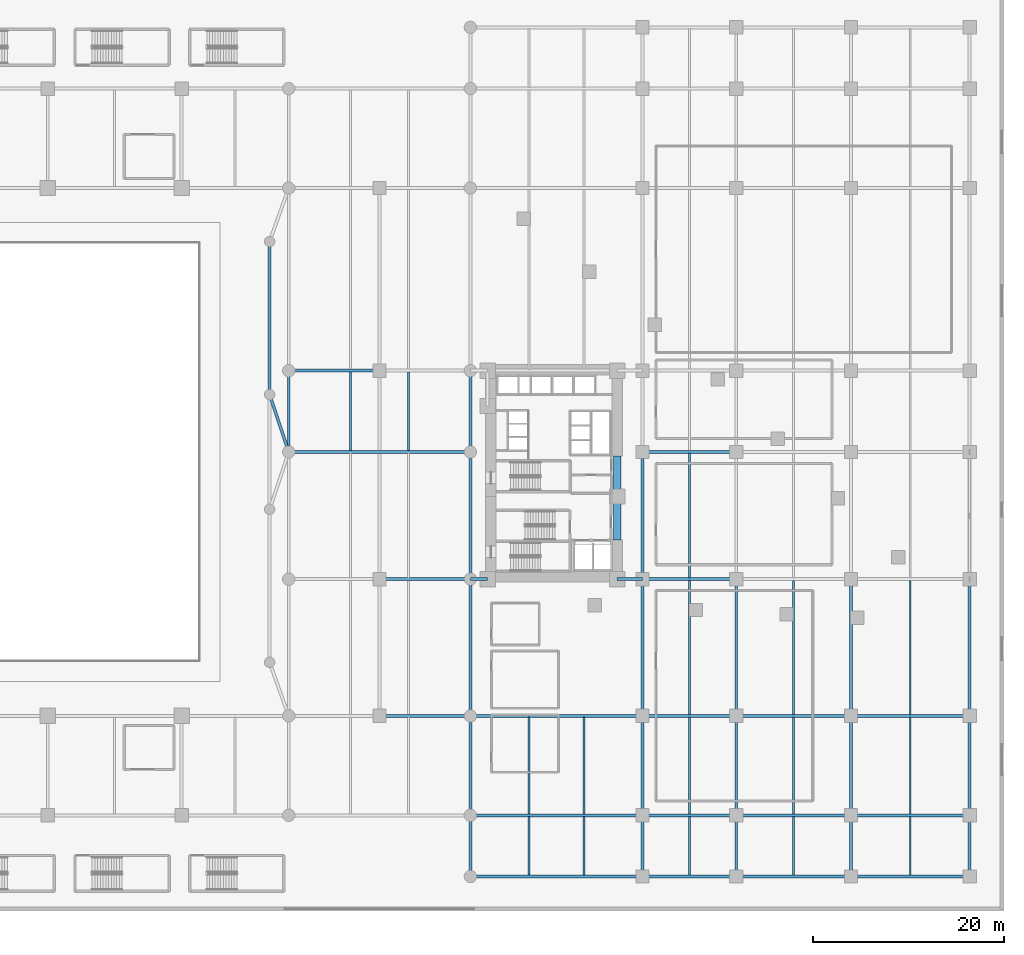
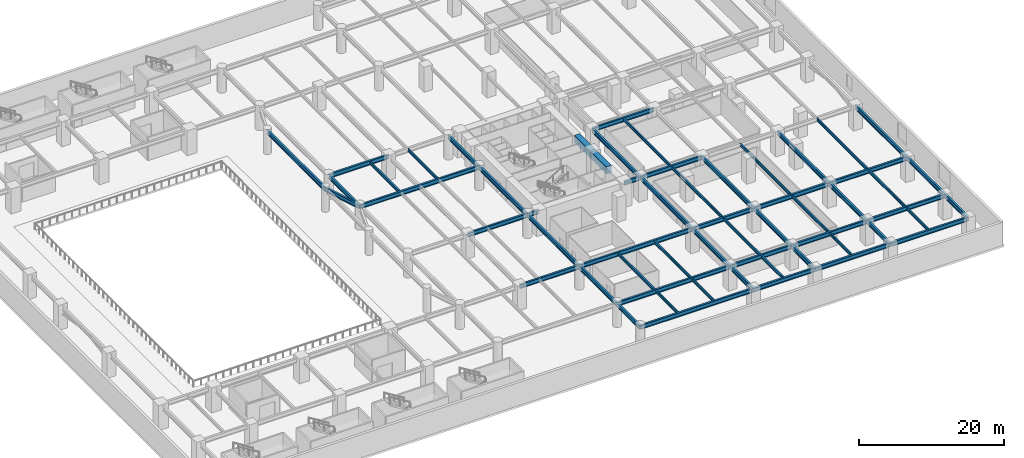
# One storey, part 2 of 22: 59 beams.
"""IFC4 building model written with IfcOpenShell, lengths in metres."""

from ifc_helpers import new_model, si_unit, direction, frame, origin, origin_2d, place, context, subcontext, project, spatial, rectangle, i_section, extrude, material, material_profile, profile_set, type_object, element, save


model = new_model("IFC4")

# Units and contexts
model_context = context("Model", 3, precision=1e-05, world=origin(), true_north=direction((0.0, 1.0)))
body_context = subcontext(model_context, "Body", "Model", "MODEL_VIEW")
ifc_project = project(units=[si_unit("LENGTHUNIT", "METRE"), si_unit("AREAUNIT", "SQUARE_METRE"), si_unit("VOLUMEUNIT", "CUBIC_METRE"), si_unit("PLANEANGLEUNIT", "RADIAN"), si_unit("MASSUNIT", "GRAM", prefix="KILO")], contexts=[model_context])

# Site, building, storey
site_placement = place(None, origin())
site = spatial("IfcSite", under=ifc_project, at=site_placement, CompositionType="ELEMENT")
building_placement = place(site_placement, origin())
building = spatial("IfcBuilding", under=site, at=building_placement, Name="Narakoshi Arena Tower", CompositionType="ELEMENT")
storey_placement = place(building_placement, frame((0.0, 0.0, 13.199951171875)))
storey = spatial("IfcBuildingStorey", under=building, at=storey_placement, Name="L03", CompositionType="ELEMENT", Elevation=13.199951171875)

# Beams
ifc_material_1 = material(Name="Concrete C60/75", Category="concrete")
ifc_material_profile_1 = material_profile(ifc_material_1, rectangle(XDim=0.800048828125, YDim=1.199951171875, at=origin_2d()), Name="RCB800x1200")
ifc_profile_set_1 = profile_set([ifc_material_profile_1], Name="Concrete C60/75")
beam_type_1 = type_object("IfcBeamType", Name="BM-CPL-1200", PredefinedType="LINTEL", material=ifc_profile_set_1)
beam_1_placement = place(storey_placement, frame((85.550048828125, 38.800048828125, 3.280029296875), z_axis=(0.0, 1.0, 0.0), x_axis=(-1.0, 0.0, 0.0)))
element("IfcBeam", 1, at=beam_1_placement, inside=storey, type_object=beam_type_1, Name="L03 Core Seismic Coupling Beam 1", PredefinedType="LINTEL", context=body_context, shape_type="SweptSolid", body=[
    extrude(rectangle(XDim=0.800048828125, YDim=1.199951171875, at=origin_2d()), origin(), (0.0, 0.0, 1.0), 4.550048828125),
])
beam_2_placement = place(storey_placement, frame((85.550048828125, 43.35009765625, 3.280029296875), z_axis=(0.0, 1.0, 0.0), x_axis=(-1.0, 0.0, 0.0)))
element("IfcBeam", 2, at=beam_2_placement, inside=storey, type_object=beam_type_1, Name="L03 Core Seismic Coupling Beam 2", PredefinedType="LINTEL", context=body_context, shape_type="SweptSolid", body=[
    extrude(rectangle(XDim=0.800048828125, YDim=1.199951171875, at=origin_2d()), origin(), (0.0, 0.0, 1.0), 4.25),
])
ifc_material_2 = material(Name="Structural steel S355J2", Category="steel")
ifc_material_profile_2 = material_profile(ifc_material_2, i_section(OverallWidth=0.300048828125, OverallDepth=0.699951171875, WebThickness=0.01708984375, FlangeThickness=0.031982421875, FilletRadius=0.027099609375, at=origin_2d()), Name="HE700B")
ifc_profile_set_2 = profile_set([ifc_material_profile_2], Name="Structural steel S355J2")
beam_type_2 = type_object("IfcBeamType", Name="BM-PRI-700", PredefinedType="BEAM", material=ifc_profile_set_2)
beam_3_placement = place(storey_placement, frame((49.199951171875, 54.0, 3.530029296875), z_axis=(0.316227766017, -0.948683298051, 0.0), x_axis=(0.948683298051, 0.316227766017, 0.0)))
element("IfcBeam", 3, at=beam_3_placement, inside=storey, type_object=beam_type_2, Name="L03 Arena Foyer Tie Beam 03", PredefinedType="BEAM", context=body_context, shape_type="SweptSolid", body=[
    extrude(i_section(OverallWidth=0.300048828125, OverallDepth=0.699951171875, WebThickness=0.01708984375, FlangeThickness=0.031982421875, FilletRadius=0.027099609375, at=origin_2d()), origin(), (0.0, 0.0, 1.0), 6.324462890625),
])
beam_4_placement = place(storey_placement, frame((49.199951171875, 54.0, 3.530029296875), z_axis=(0.0, 1.0, 0.0), x_axis=(-1.0, 0.0, 0.0)))
element("IfcBeam", 4, at=beam_4_placement, inside=storey, type_object=beam_type_2, Name="L03 Arena Foyer Ring Beam 54", PredefinedType="BEAM", context=body_context, shape_type="SweptSolid", body=[
    extrude(i_section(OverallWidth=0.300048828125, OverallDepth=0.699951171875, WebThickness=0.01708984375, FlangeThickness=0.031982421875, FilletRadius=0.027099609375, at=origin_2d()), origin(), (0.0, 0.0, 1.0), 16.0),
])
beam_5_placement = place(storey_placement, frame((70.199951171875, 3.60009765625, 3.530029296875), z_axis=(1.0, 0.0, 0.0), x_axis=(0.0, 1.0, 0.0)))
element("IfcBeam", 5, at=beam_5_placement, inside=storey, type_object=beam_type_2, Name="L03 Podium Primary X-Girder 001", PredefinedType="BEAM", context=body_context, shape_type="SweptSolid", body=[
    extrude(i_section(OverallWidth=0.300048828125, OverallDepth=0.699951171875, WebThickness=0.01708984375, FlangeThickness=0.031982421875, FilletRadius=0.027099609375, at=origin_2d()), origin(), (0.0, 0.0, 1.0), 18.0),
])
beam_6_placement = place(storey_placement, frame((88.199951171875, 3.60009765625, 3.530029296875), z_axis=(1.0, 0.0, 0.0), x_axis=(0.0, 1.0, 0.0)))
element("IfcBeam", 6, at=beam_6_placement, inside=storey, type_object=beam_type_2, Name="L03 Podium Primary X-Girder 002", PredefinedType="BEAM", context=body_context, shape_type="SweptSolid", body=[
    extrude(i_section(OverallWidth=0.300048828125, OverallDepth=0.699951171875, WebThickness=0.01708984375, FlangeThickness=0.031982421875, FilletRadius=0.027099609375, at=origin_2d()), origin(), (0.0, 0.0, 1.0), 9.800048828125),
])
beam_7_placement = place(storey_placement, frame((98.0, 3.60009765625, 3.530029296875), z_axis=(1.0, 0.0, 0.0), x_axis=(0.0, 1.0, 0.0)))
element("IfcBeam", 7, at=beam_7_placement, inside=storey, type_object=beam_type_2, Name="L03 Podium Primary X-Girder 003", PredefinedType="BEAM", context=body_context, shape_type="SweptSolid", body=[
    extrude(i_section(OverallWidth=0.300048828125, OverallDepth=0.699951171875, WebThickness=0.01708984375, FlangeThickness=0.031982421875, FilletRadius=0.027099609375, at=origin_2d()), origin(), (0.0, 0.0, 1.0), 12.0),
])
beam_8_placement = place(storey_placement, frame((110.0, 3.60009765625, 3.530029296875), z_axis=(1.0, 0.0, 0.0), x_axis=(0.0, 1.0, 0.0)))
element("IfcBeam", 8, at=beam_8_placement, inside=storey, type_object=beam_type_2, Name="L03 Podium Primary X-Girder 004", PredefinedType="BEAM", context=body_context, shape_type="SweptSolid", body=[
    extrude(i_section(OverallWidth=0.300048828125, OverallDepth=0.699951171875, WebThickness=0.01708984375, FlangeThickness=0.031982421875, FilletRadius=0.027099609375, at=origin_2d()), origin(), (0.0, 0.0, 1.0), 12.39990234375),
])
beam_9_placement = place(storey_placement, frame((70.199951171875, 10.0, 3.530029296875), z_axis=(1.0, 0.0, 0.0), x_axis=(0.0, 1.0, 0.0)))
element("IfcBeam", 9, at=beam_9_placement, inside=storey, type_object=beam_type_2, Name="L03 Podium Primary X-Girder 010", PredefinedType="BEAM", context=body_context, shape_type="SweptSolid", body=[
    extrude(i_section(OverallWidth=0.300048828125, OverallDepth=0.699951171875, WebThickness=0.01708984375, FlangeThickness=0.031982421875, FilletRadius=0.027099609375, at=origin_2d()), origin(), (0.0, 0.0, 1.0), 18.0),
])
beam_10_placement = place(storey_placement, frame((88.199951171875, 10.0, 3.530029296875), z_axis=(1.0, 0.0, 0.0), x_axis=(0.0, 1.0, 0.0)))
element("IfcBeam", 10, at=beam_10_placement, inside=storey, type_object=beam_type_2, Name="L03 Podium Primary X-Girder 011", PredefinedType="BEAM", context=body_context, shape_type="SweptSolid", body=[
    extrude(i_section(OverallWidth=0.300048828125, OverallDepth=0.699951171875, WebThickness=0.01708984375, FlangeThickness=0.031982421875, FilletRadius=0.027099609375, at=origin_2d()), origin(), (0.0, 0.0, 1.0), 9.800048828125),
])
beam_11_placement = place(storey_placement, frame((98.0, 10.0, 3.530029296875), z_axis=(1.0, 0.0, 0.0), x_axis=(0.0, 1.0, 0.0)))
element("IfcBeam", 11, at=beam_11_placement, inside=storey, type_object=beam_type_2, Name="L03 Podium Primary X-Girder 012", PredefinedType="BEAM", context=body_context, shape_type="SweptSolid", body=[
    extrude(i_section(OverallWidth=0.300048828125, OverallDepth=0.699951171875, WebThickness=0.01708984375, FlangeThickness=0.031982421875, FilletRadius=0.027099609375, at=origin_2d()), origin(), (0.0, 0.0, 1.0), 12.0),
])
beam_12_placement = place(storey_placement, frame((110.0, 10.0, 3.530029296875), z_axis=(1.0, 0.0, 0.0), x_axis=(0.0, 1.0, 0.0)))
element("IfcBeam", 12, at=beam_12_placement, inside=storey, type_object=beam_type_2, Name="L03 Podium Primary X-Girder 013", PredefinedType="BEAM", context=body_context, shape_type="SweptSolid", body=[
    extrude(i_section(OverallWidth=0.300048828125, OverallDepth=0.699951171875, WebThickness=0.01708984375, FlangeThickness=0.031982421875, FilletRadius=0.027099609375, at=origin_2d()), origin(), (0.0, 0.0, 1.0), 12.39990234375),
])
beam_13_placement = place(storey_placement, frame((60.699951171875, 20.39990234375, 3.530029296875), z_axis=(1.0, 0.0, 0.0), x_axis=(0.0, 1.0, 0.0)))
element("IfcBeam", 13, at=beam_13_placement, inside=storey, type_object=beam_type_2, Name="L03 Podium Primary X-Girder 019", PredefinedType="BEAM", context=body_context, shape_type="SweptSolid", body=[
    extrude(i_section(OverallWidth=0.300048828125, OverallDepth=0.699951171875, WebThickness=0.01708984375, FlangeThickness=0.031982421875, FilletRadius=0.027099609375, at=origin_2d()), origin(), (0.0, 0.0, 1.0), 9.5),
])
beam_14_placement = place(storey_placement, frame((70.199951171875, 20.39990234375, 3.530029296875), z_axis=(1.0, 0.0, 0.0), x_axis=(0.0, 1.0, 0.0)))
element("IfcBeam", 14, at=beam_14_placement, inside=storey, type_object=beam_type_2, Name="L03 Podium Primary X-Girder 020", PredefinedType="BEAM", context=body_context, shape_type="SweptSolid", body=[
    extrude(i_section(OverallWidth=0.300048828125, OverallDepth=0.699951171875, WebThickness=0.01708984375, FlangeThickness=0.031982421875, FilletRadius=0.027099609375, at=origin_2d()), origin(), (0.0, 0.0, 1.0), 18.0),
])
beam_15_placement = place(storey_placement, frame((88.199951171875, 20.39990234375, 3.530029296875), z_axis=(1.0, 0.0, 0.0), x_axis=(0.0, 1.0, 0.0)))
element("IfcBeam", 15, at=beam_15_placement, inside=storey, type_object=beam_type_2, Name="L03 Podium Primary X-Girder 021", PredefinedType="BEAM", context=body_context, shape_type="SweptSolid", body=[
    extrude(i_section(OverallWidth=0.300048828125, OverallDepth=0.699951171875, WebThickness=0.01708984375, FlangeThickness=0.031982421875, FilletRadius=0.027099609375, at=origin_2d()), origin(), (0.0, 0.0, 1.0), 9.800048828125),
])
beam_16_placement = place(storey_placement, frame((98.0, 20.39990234375, 3.530029296875), z_axis=(1.0, 0.0, 0.0), x_axis=(0.0, 1.0, 0.0)))
element("IfcBeam", 16, at=beam_16_placement, inside=storey, type_object=beam_type_2, Name="L03 Podium Primary X-Girder 022", PredefinedType="BEAM", context=body_context, shape_type="SweptSolid", body=[
    extrude(i_section(OverallWidth=0.300048828125, OverallDepth=0.699951171875, WebThickness=0.01708984375, FlangeThickness=0.031982421875, FilletRadius=0.027099609375, at=origin_2d()), origin(), (0.0, 0.0, 1.0), 12.0),
])
beam_17_placement = place(storey_placement, frame((110.0, 20.39990234375, 3.530029296875), z_axis=(1.0, 0.0, 0.0), x_axis=(0.0, 1.0, 0.0)))
element("IfcBeam", 17, at=beam_17_placement, inside=storey, type_object=beam_type_2, Name="L03 Podium Primary X-Girder 023", PredefinedType="BEAM", context=body_context, shape_type="SweptSolid", body=[
    extrude(i_section(OverallWidth=0.300048828125, OverallDepth=0.699951171875, WebThickness=0.01708984375, FlangeThickness=0.031982421875, FilletRadius=0.027099609375, at=origin_2d()), origin(), (0.0, 0.0, 1.0), 12.39990234375),
])
beam_18_placement = place(storey_placement, frame((60.699951171875, 34.699951171875, 3.530029296875), z_axis=(1.0, 0.0, 0.0), x_axis=(0.0, 1.0, 0.0)))
element("IfcBeam", 18, at=beam_18_placement, inside=storey, type_object=beam_type_2, Name="L03 Podium Primary X-Girder 025", PredefinedType="BEAM", context=body_context, shape_type="SweptSolid", body=[
    extrude(i_section(OverallWidth=0.300048828125, OverallDepth=0.699951171875, WebThickness=0.01708984375, FlangeThickness=0.031982421875, FilletRadius=0.027099609375, at=origin_2d()), origin(), (0.0, 0.0, 1.0), 9.5),
])
beam_19_placement = place(storey_placement, frame((70.199951171875, 34.699951171875, 3.530029296875), z_axis=(1.0, 0.0, 0.0), x_axis=(0.0, 1.0, 0.0)))
element("IfcBeam", 19, at=beam_19_placement, inside=storey, type_object=beam_type_2, Name="L03 Podium Primary X-Girder 026", PredefinedType="BEAM", context=body_context, shape_type="SweptSolid", body=[
    extrude(i_section(OverallWidth=0.300048828125, OverallDepth=0.699951171875, WebThickness=0.01708984375, FlangeThickness=0.031982421875, FilletRadius=0.027099609375, at=origin_2d()), origin(), (0.0, 0.0, 1.0), 1.800048828125),
])
beam_20_placement = place(storey_placement, frame((85.550048828125, 34.699951171875, 3.530029296875), z_axis=(1.0, 0.0, 0.0), x_axis=(0.0, 1.0, 0.0)))
element("IfcBeam", 20, at=beam_20_placement, inside=storey, type_object=beam_type_2, Name="L03 Podium Primary X-Girder 027", PredefinedType="BEAM", context=body_context, shape_type="SweptSolid", body=[
    extrude(i_section(OverallWidth=0.300048828125, OverallDepth=0.699951171875, WebThickness=0.01708984375, FlangeThickness=0.031982421875, FilletRadius=0.027099609375, at=origin_2d()), origin(), (0.0, 0.0, 1.0), 2.64990234375),
])
beam_21_placement = place(storey_placement, frame((88.199951171875, 34.699951171875, 3.530029296875), z_axis=(1.0, 0.0, 0.0), x_axis=(0.0, 1.0, 0.0)))
element("IfcBeam", 21, at=beam_21_placement, inside=storey, type_object=beam_type_2, Name="L03 Podium Primary X-Girder 028", PredefinedType="BEAM", context=body_context, shape_type="SweptSolid", body=[
    extrude(i_section(OverallWidth=0.300048828125, OverallDepth=0.699951171875, WebThickness=0.01708984375, FlangeThickness=0.031982421875, FilletRadius=0.027099609375, at=origin_2d()), origin(), (0.0, 0.0, 1.0), 9.800048828125),
])
beam_22_placement = place(storey_placement, frame((51.199951171875, 48.0, 3.530029296875), z_axis=(1.0, 0.0, 0.0), x_axis=(0.0, 1.0, 0.0)))
element("IfcBeam", 22, at=beam_22_placement, inside=storey, type_object=beam_type_2, Name="L03 Podium Primary X-Girder 031", PredefinedType="BEAM", context=body_context, shape_type="SweptSolid", body=[
    extrude(i_section(OverallWidth=0.300048828125, OverallDepth=0.699951171875, WebThickness=0.01708984375, FlangeThickness=0.031982421875, FilletRadius=0.027099609375, at=origin_2d()), origin(), (0.0, 0.0, 1.0), 19.0),
])
beam_23_placement = place(storey_placement, frame((88.199951171875, 48.0, 3.530029296875), z_axis=(1.0, 0.0, 0.0), x_axis=(0.0, 1.0, 0.0)))
element("IfcBeam", 23, at=beam_23_placement, inside=storey, type_object=beam_type_2, Name="L03 Podium Primary X-Girder 032", PredefinedType="BEAM", context=body_context, shape_type="SweptSolid", body=[
    extrude(i_section(OverallWidth=0.300048828125, OverallDepth=0.699951171875, WebThickness=0.01708984375, FlangeThickness=0.031982421875, FilletRadius=0.027099609375, at=origin_2d()), origin(), (0.0, 0.0, 1.0), 9.800048828125),
])
beam_24_placement = place(storey_placement, frame((51.199951171875, 56.5, 3.530029296875), z_axis=(1.0, 0.0, 0.0), x_axis=(0.0, 1.0, 0.0)))
element("IfcBeam", 24, at=beam_24_placement, inside=storey, type_object=beam_type_2, Name="L03 Podium Primary X-Girder 035", PredefinedType="BEAM", context=body_context, shape_type="SweptSolid", body=[
    extrude(i_section(OverallWidth=0.300048828125, OverallDepth=0.699951171875, WebThickness=0.01708984375, FlangeThickness=0.031982421875, FilletRadius=0.027099609375, at=origin_2d()), origin(), (0.0, 0.0, 1.0), 9.5),
])
beam_25_placement = place(storey_placement, frame((51.199951171875, 48.0, 3.530029296875), z_axis=(0.0, 1.0, 0.0), x_axis=(-1.0, 0.0, 0.0)))
element("IfcBeam", 25, at=beam_25_placement, inside=storey, type_object=beam_type_2, Name="L03 Podium Primary Y-Girder 083", PredefinedType="BEAM", context=body_context, shape_type="SweptSolid", body=[
    extrude(i_section(OverallWidth=0.300048828125, OverallDepth=0.699951171875, WebThickness=0.01708984375, FlangeThickness=0.031982421875, FilletRadius=0.027099609375, at=origin_2d()), origin(), (0.0, 0.0, 1.0), 8.5),
])
beam_26_placement = place(storey_placement, frame((70.199951171875, 3.60009765625, 3.530029296875), z_axis=(0.0, 1.0, 0.0), x_axis=(-1.0, 0.0, 0.0)))
element("IfcBeam", 26, at=beam_26_placement, inside=storey, type_object=beam_type_2, Name="L03 Podium Primary Y-Girder 089", PredefinedType="BEAM", context=body_context, shape_type="SweptSolid", body=[
    extrude(i_section(OverallWidth=0.300048828125, OverallDepth=0.699951171875, WebThickness=0.01708984375, FlangeThickness=0.031982421875, FilletRadius=0.027099609375, at=origin_2d()), origin(), (0.0, 0.0, 1.0), 6.39990234375),
])
beam_27_placement = place(storey_placement, frame((70.199951171875, 10.0, 3.530029296875), z_axis=(0.0, 1.0, 0.0), x_axis=(-1.0, 0.0, 0.0)))
element("IfcBeam", 27, at=beam_27_placement, inside=storey, type_object=beam_type_2, Name="L03 Podium Primary Y-Girder 090", PredefinedType="BEAM", context=body_context, shape_type="SweptSolid", body=[
    extrude(i_section(OverallWidth=0.300048828125, OverallDepth=0.699951171875, WebThickness=0.01708984375, FlangeThickness=0.031982421875, FilletRadius=0.027099609375, at=origin_2d()), origin(), (0.0, 0.0, 1.0), 10.39990234375),
])
beam_28_placement = place(storey_placement, frame((70.199951171875, 20.39990234375, 3.530029296875), z_axis=(0.0, 1.0, 0.0), x_axis=(-1.0, 0.0, 0.0)))
element("IfcBeam", 28, at=beam_28_placement, inside=storey, type_object=beam_type_2, Name="L03 Podium Primary Y-Girder 091", PredefinedType="BEAM", context=body_context, shape_type="SweptSolid", body=[
    extrude(i_section(OverallWidth=0.300048828125, OverallDepth=0.699951171875, WebThickness=0.01708984375, FlangeThickness=0.031982421875, FilletRadius=0.027099609375, at=origin_2d()), origin(), (0.0, 0.0, 1.0), 14.300048828125),
])
beam_29_placement = place(storey_placement, frame((70.199951171875, 34.699951171875, 3.530029296875), z_axis=(0.0, 1.0, 0.0), x_axis=(-1.0, 0.0, 0.0)))
element("IfcBeam", 29, at=beam_29_placement, inside=storey, type_object=beam_type_2, Name="L03 Podium Primary Y-Girder 092", PredefinedType="BEAM", context=body_context, shape_type="SweptSolid", body=[
    extrude(i_section(OverallWidth=0.300048828125, OverallDepth=0.699951171875, WebThickness=0.01708984375, FlangeThickness=0.031982421875, FilletRadius=0.027099609375, at=origin_2d()), origin(), (0.0, 0.0, 1.0), 13.300048828125),
])
beam_30_placement = place(storey_placement, frame((70.199951171875, 48.0, 3.530029296875), z_axis=(0.0, 1.0, 0.0), x_axis=(-1.0, 0.0, 0.0)))
element("IfcBeam", 30, at=beam_30_placement, inside=storey, type_object=beam_type_2, Name="L03 Podium Primary Y-Girder 093", PredefinedType="BEAM", context=body_context, shape_type="SweptSolid", body=[
    extrude(i_section(OverallWidth=0.300048828125, OverallDepth=0.699951171875, WebThickness=0.01708984375, FlangeThickness=0.031982421875, FilletRadius=0.027099609375, at=origin_2d()), origin(), (0.0, 0.0, 1.0), 8.5),
])
beam_31_placement = place(storey_placement, frame((88.199951171875, 3.60009765625, 3.530029296875), z_axis=(0.0, 1.0, 0.0), x_axis=(-1.0, 0.0, 0.0)))
element("IfcBeam", 31, at=beam_31_placement, inside=storey, type_object=beam_type_2, Name="L03 Podium Primary Y-Girder 098", PredefinedType="BEAM", context=body_context, shape_type="SweptSolid", body=[
    extrude(i_section(OverallWidth=0.300048828125, OverallDepth=0.699951171875, WebThickness=0.01708984375, FlangeThickness=0.031982421875, FilletRadius=0.027099609375, at=origin_2d()), origin(), (0.0, 0.0, 1.0), 6.39990234375),
])
beam_32_placement = place(storey_placement, frame((88.199951171875, 10.0, 3.530029296875), z_axis=(0.0, 1.0, 0.0), x_axis=(-1.0, 0.0, 0.0)))
element("IfcBeam", 32, at=beam_32_placement, inside=storey, type_object=beam_type_2, Name="L03 Podium Primary Y-Girder 099", PredefinedType="BEAM", context=body_context, shape_type="SweptSolid", body=[
    extrude(i_section(OverallWidth=0.300048828125, OverallDepth=0.699951171875, WebThickness=0.01708984375, FlangeThickness=0.031982421875, FilletRadius=0.027099609375, at=origin_2d()), origin(), (0.0, 0.0, 1.0), 10.39990234375),
])
beam_33_placement = place(storey_placement, frame((88.199951171875, 20.39990234375, 3.530029296875), z_axis=(0.0, 1.0, 0.0), x_axis=(-1.0, 0.0, 0.0)))
element("IfcBeam", 33, at=beam_33_placement, inside=storey, type_object=beam_type_2, Name="L03 Podium Primary Y-Girder 100", PredefinedType="BEAM", context=body_context, shape_type="SweptSolid", body=[
    extrude(i_section(OverallWidth=0.300048828125, OverallDepth=0.699951171875, WebThickness=0.01708984375, FlangeThickness=0.031982421875, FilletRadius=0.027099609375, at=origin_2d()), origin(), (0.0, 0.0, 1.0), 14.300048828125),
])
beam_34_placement = place(storey_placement, frame((88.199951171875, 34.699951171875, 3.530029296875), z_axis=(0.0, 1.0, 0.0), x_axis=(-1.0, 0.0, 0.0)))
element("IfcBeam", 34, at=beam_34_placement, inside=storey, type_object=beam_type_2, Name="L03 Podium Primary Y-Girder 101", PredefinedType="BEAM", context=body_context, shape_type="SweptSolid", body=[
    extrude(i_section(OverallWidth=0.300048828125, OverallDepth=0.699951171875, WebThickness=0.01708984375, FlangeThickness=0.031982421875, FilletRadius=0.027099609375, at=origin_2d()), origin(), (0.0, 0.0, 1.0), 13.300048828125),
])
beam_35_placement = place(storey_placement, frame((98.0, 3.60009765625, 3.530029296875), z_axis=(0.0, 1.0, 0.0), x_axis=(-1.0, 0.0, 0.0)))
element("IfcBeam", 35, at=beam_35_placement, inside=storey, type_object=beam_type_2, Name="L03 Podium Primary Y-Girder 106", PredefinedType="BEAM", context=body_context, shape_type="SweptSolid", body=[
    extrude(i_section(OverallWidth=0.300048828125, OverallDepth=0.699951171875, WebThickness=0.01708984375, FlangeThickness=0.031982421875, FilletRadius=0.027099609375, at=origin_2d()), origin(), (0.0, 0.0, 1.0), 6.39990234375),
])
beam_36_placement = place(storey_placement, frame((98.0, 10.0, 3.530029296875), z_axis=(0.0, 1.0, 0.0), x_axis=(-1.0, 0.0, 0.0)))
element("IfcBeam", 36, at=beam_36_placement, inside=storey, type_object=beam_type_2, Name="L03 Podium Primary Y-Girder 107", PredefinedType="BEAM", context=body_context, shape_type="SweptSolid", body=[
    extrude(i_section(OverallWidth=0.300048828125, OverallDepth=0.699951171875, WebThickness=0.01708984375, FlangeThickness=0.031982421875, FilletRadius=0.027099609375, at=origin_2d()), origin(), (0.0, 0.0, 1.0), 10.39990234375),
])
beam_37_placement = place(storey_placement, frame((98.0, 20.39990234375, 3.530029296875), z_axis=(0.0, 1.0, 0.0), x_axis=(-1.0, 0.0, 0.0)))
element("IfcBeam", 37, at=beam_37_placement, inside=storey, type_object=beam_type_2, Name="L03 Podium Primary Y-Girder 108", PredefinedType="BEAM", context=body_context, shape_type="SweptSolid", body=[
    extrude(i_section(OverallWidth=0.300048828125, OverallDepth=0.699951171875, WebThickness=0.01708984375, FlangeThickness=0.031982421875, FilletRadius=0.027099609375, at=origin_2d()), origin(), (0.0, 0.0, 1.0), 14.300048828125),
])
beam_38_placement = place(storey_placement, frame((110.0, 3.60009765625, 3.530029296875), z_axis=(0.0, 1.0, 0.0), x_axis=(-1.0, 0.0, 0.0)))
element("IfcBeam", 38, at=beam_38_placement, inside=storey, type_object=beam_type_2, Name="L03 Podium Primary Y-Girder 114", PredefinedType="BEAM", context=body_context, shape_type="SweptSolid", body=[
    extrude(i_section(OverallWidth=0.300048828125, OverallDepth=0.699951171875, WebThickness=0.01708984375, FlangeThickness=0.031982421875, FilletRadius=0.027099609375, at=origin_2d()), origin(), (0.0, 0.0, 1.0), 6.39990234375),
])
beam_39_placement = place(storey_placement, frame((110.0, 10.0, 3.530029296875), z_axis=(0.0, 1.0, 0.0), x_axis=(-1.0, 0.0, 0.0)))
element("IfcBeam", 39, at=beam_39_placement, inside=storey, type_object=beam_type_2, Name="L03 Podium Primary Y-Girder 115", PredefinedType="BEAM", context=body_context, shape_type="SweptSolid", body=[
    extrude(i_section(OverallWidth=0.300048828125, OverallDepth=0.699951171875, WebThickness=0.01708984375, FlangeThickness=0.031982421875, FilletRadius=0.027099609375, at=origin_2d()), origin(), (0.0, 0.0, 1.0), 10.39990234375),
])
beam_40_placement = place(storey_placement, frame((110.0, 20.39990234375, 3.530029296875), z_axis=(0.0, 1.0, 0.0), x_axis=(-1.0, 0.0, 0.0)))
element("IfcBeam", 40, at=beam_40_placement, inside=storey, type_object=beam_type_2, Name="L03 Podium Primary Y-Girder 116", PredefinedType="BEAM", context=body_context, shape_type="SweptSolid", body=[
    extrude(i_section(OverallWidth=0.300048828125, OverallDepth=0.699951171875, WebThickness=0.01708984375, FlangeThickness=0.031982421875, FilletRadius=0.027099609375, at=origin_2d()), origin(), (0.0, 0.0, 1.0), 14.300048828125),
])
beam_41_placement = place(storey_placement, frame((122.39990234375, 3.60009765625, 3.530029296875), z_axis=(0.0, 1.0, 0.0), x_axis=(-1.0, 0.0, 0.0)))
element("IfcBeam", 41, at=beam_41_placement, inside=storey, type_object=beam_type_2, Name="L03 Podium Primary Y-Girder 122", PredefinedType="BEAM", context=body_context, shape_type="SweptSolid", body=[
    extrude(i_section(OverallWidth=0.300048828125, OverallDepth=0.699951171875, WebThickness=0.01708984375, FlangeThickness=0.031982421875, FilletRadius=0.027099609375, at=origin_2d()), origin(), (0.0, 0.0, 1.0), 6.39990234375),
])
beam_42_placement = place(storey_placement, frame((122.39990234375, 10.0, 3.530029296875), z_axis=(0.0, 1.0, 0.0), x_axis=(-1.0, 0.0, 0.0)))
element("IfcBeam", 42, at=beam_42_placement, inside=storey, type_object=beam_type_2, Name="L03 Podium Primary Y-Girder 123", PredefinedType="BEAM", context=body_context, shape_type="SweptSolid", body=[
    extrude(i_section(OverallWidth=0.300048828125, OverallDepth=0.699951171875, WebThickness=0.01708984375, FlangeThickness=0.031982421875, FilletRadius=0.027099609375, at=origin_2d()), origin(), (0.0, 0.0, 1.0), 10.39990234375),
])
beam_43_placement = place(storey_placement, frame((122.39990234375, 20.39990234375, 3.530029296875), z_axis=(0.0, 1.0, 0.0), x_axis=(-1.0, 0.0, 0.0)))
element("IfcBeam", 43, at=beam_43_placement, inside=storey, type_object=beam_type_2, Name="L03 Podium Primary Y-Girder 124", PredefinedType="BEAM", context=body_context, shape_type="SweptSolid", body=[
    extrude(i_section(OverallWidth=0.300048828125, OverallDepth=0.699951171875, WebThickness=0.01708984375, FlangeThickness=0.031982421875, FilletRadius=0.027099609375, at=origin_2d()), origin(), (0.0, 0.0, 1.0), 14.300048828125),
])
ifc_material_profile_3 = material_profile(ifc_material_2, i_section(OverallWidth=0.199951171875, OverallDepth=0.5, WebThickness=0.01025390625, FlangeThickness=0.01611328125, FilletRadius=0.02099609375, at=origin_2d()), Name="IPE500")
ifc_profile_set_3 = profile_set([ifc_material_profile_3], Name="Structural steel S355J2")
beam_type_3 = type_object("IfcBeamType", Name="BM-SEC-500", PredefinedType="JOIST", material=ifc_profile_set_3)
for number, where, z_axis, x_axis, name in (
    (44, (57.659912109375, 48.135009765625, 3.630126953125), (0.0, 1.0, 0.0), (-1.0, 0.0, 0.0), "L03 Podium Composite Floor Joist 012"),
    (45, (63.739990234375, 48.135009765625, 3.630126953125), (0.0, 1.0, 0.0), (-1.0, 0.0, 0.0), "L03 Podium Composite Floor Joist 018"),
):
    element("IfcBeam", number, at=place(storey_placement, frame(where, z_axis=z_axis, x_axis=x_axis)), inside=storey, type_object=beam_type_3, Name=name, PredefinedType="JOIST", context=body_context, shape_type="SweptSolid", body=[
        extrude(i_section(OverallWidth=0.199951171875, OverallDepth=0.5, WebThickness=0.01025390625, FlangeThickness=0.01611328125, FilletRadius=0.02099609375, at=origin_2d()), origin(), (0.0, 0.0, 1.0), 8.22998046875),
    ])
beam_44_placement = place(storey_placement, frame((76.320068359375, 3.735107421875, 3.630126953125), z_axis=(0.0, 1.0, 0.0), x_axis=(-1.0, 0.0, 0.0)))
element("IfcBeam", 46, at=beam_44_placement, inside=storey, type_object=beam_type_3, Name="L03 Podium Composite Floor Joist 021", PredefinedType="JOIST", context=body_context, shape_type="SweptSolid", body=[
    extrude(i_section(OverallWidth=0.199951171875, OverallDepth=0.5, WebThickness=0.01025390625, FlangeThickness=0.01611328125, FilletRadius=0.02099609375, at=origin_2d()), origin(), (0.0, 0.0, 1.0), 6.1298828125),
])
beam_45_placement = place(storey_placement, frame((76.320068359375, 10.135009765625, 3.630126953125), z_axis=(0.0, 1.0, 0.0), x_axis=(-1.0, 0.0, 0.0)))
element("IfcBeam", 47, at=beam_45_placement, inside=storey, type_object=beam_type_3, Name="L03 Podium Composite Floor Joist 022", PredefinedType="JOIST", context=body_context, shape_type="SweptSolid", body=[
    extrude(i_section(OverallWidth=0.199951171875, OverallDepth=0.5, WebThickness=0.01025390625, FlangeThickness=0.01611328125, FilletRadius=0.02099609375, at=origin_2d()), origin(), (0.0, 0.0, 1.0), 10.1298828125),
])
beam_46_placement = place(storey_placement, frame((82.080078125, 3.735107421875, 3.630126953125), z_axis=(0.0, 1.0, 0.0), x_axis=(-1.0, 0.0, 0.0)))
element("IfcBeam", 48, at=beam_46_placement, inside=storey, type_object=beam_type_3, Name="L03 Podium Composite Floor Joist 026", PredefinedType="JOIST", context=body_context, shape_type="SweptSolid", body=[
    extrude(i_section(OverallWidth=0.199951171875, OverallDepth=0.5, WebThickness=0.01025390625, FlangeThickness=0.01611328125, FilletRadius=0.02099609375, at=origin_2d()), origin(), (0.0, 0.0, 1.0), 6.1298828125),
])
beam_47_placement = place(storey_placement, frame((82.080078125, 10.135009765625, 3.630126953125), z_axis=(0.0, 1.0, 0.0), x_axis=(-1.0, 0.0, 0.0)))
element("IfcBeam", 49, at=beam_47_placement, inside=storey, type_object=beam_type_3, Name="L03 Podium Composite Floor Joist 027", PredefinedType="JOIST", context=body_context, shape_type="SweptSolid", body=[
    extrude(i_section(OverallWidth=0.199951171875, OverallDepth=0.5, WebThickness=0.01025390625, FlangeThickness=0.01611328125, FilletRadius=0.02099609375, at=origin_2d()), origin(), (0.0, 0.0, 1.0), 10.1298828125),
])
beam_48_placement = place(storey_placement, frame((93.10009765625, 3.735107421875, 3.630126953125), z_axis=(0.0, 1.0, 0.0), x_axis=(-1.0, 0.0, 0.0)))
element("IfcBeam", 50, at=beam_48_placement, inside=storey, type_object=beam_type_3, Name="L03 Podium Composite Floor Joist 031", PredefinedType="JOIST", context=body_context, shape_type="SweptSolid", body=[
    extrude(i_section(OverallWidth=0.199951171875, OverallDepth=0.5, WebThickness=0.01025390625, FlangeThickness=0.01611328125, FilletRadius=0.02099609375, at=origin_2d()), origin(), (0.0, 0.0, 1.0), 6.1298828125),
])
beam_49_placement = place(storey_placement, frame((93.10009765625, 10.135009765625, 3.630126953125), z_axis=(0.0, 1.0, 0.0), x_axis=(-1.0, 0.0, 0.0)))
element("IfcBeam", 51, at=beam_49_placement, inside=storey, type_object=beam_type_3, Name="L03 Podium Composite Floor Joist 032", PredefinedType="JOIST", context=body_context, shape_type="SweptSolid", body=[
    extrude(i_section(OverallWidth=0.199951171875, OverallDepth=0.5, WebThickness=0.01025390625, FlangeThickness=0.01611328125, FilletRadius=0.02099609375, at=origin_2d()), origin(), (0.0, 0.0, 1.0), 10.1298828125),
])
beam_50_placement = place(storey_placement, frame((93.10009765625, 20.534912109375, 3.630126953125), z_axis=(0.0, 1.0, 0.0), x_axis=(-1.0, 0.0, 0.0)))
element("IfcBeam", 52, at=beam_50_placement, inside=storey, type_object=beam_type_3, Name="L03 Podium Composite Floor Joist 033", PredefinedType="JOIST", context=body_context, shape_type="SweptSolid", body=[
    extrude(i_section(OverallWidth=0.199951171875, OverallDepth=0.5, WebThickness=0.01025390625, FlangeThickness=0.01611328125, FilletRadius=0.02099609375, at=origin_2d()), origin(), (0.0, 0.0, 1.0), 14.030029296875),
])
beam_51_placement = place(storey_placement, frame((93.10009765625, 34.8349609375, 3.630126953125), z_axis=(0.0, 1.0, 0.0), x_axis=(-1.0, 0.0, 0.0)))
element("IfcBeam", 53, at=beam_51_placement, inside=storey, type_object=beam_type_3, Name="L03 Podium Composite Floor Joist 034", PredefinedType="JOIST", context=body_context, shape_type="SweptSolid", body=[
    extrude(i_section(OverallWidth=0.199951171875, OverallDepth=0.5, WebThickness=0.01025390625, FlangeThickness=0.01611328125, FilletRadius=0.02099609375, at=origin_2d()), origin(), (0.0, 0.0, 1.0), 13.030029296875),
])
beam_52_placement = place(storey_placement, frame((104.0, 3.735107421875, 3.630126953125), z_axis=(0.0, 1.0, 0.0), x_axis=(-1.0, 0.0, 0.0)))
element("IfcBeam", 54, at=beam_52_placement, inside=storey, type_object=beam_type_3, Name="L03 Podium Composite Floor Joist 039", PredefinedType="JOIST", context=body_context, shape_type="SweptSolid", body=[
    extrude(i_section(OverallWidth=0.199951171875, OverallDepth=0.5, WebThickness=0.01025390625, FlangeThickness=0.01611328125, FilletRadius=0.02099609375, at=origin_2d()), origin(), (0.0, 0.0, 1.0), 6.1298828125),
])
beam_53_placement = place(storey_placement, frame((104.0, 10.135009765625, 3.630126953125), z_axis=(0.0, 1.0, 0.0), x_axis=(-1.0, 0.0, 0.0)))
element("IfcBeam", 55, at=beam_53_placement, inside=storey, type_object=beam_type_3, Name="L03 Podium Composite Floor Joist 040", PredefinedType="JOIST", context=body_context, shape_type="SweptSolid", body=[
    extrude(i_section(OverallWidth=0.199951171875, OverallDepth=0.5, WebThickness=0.01025390625, FlangeThickness=0.01611328125, FilletRadius=0.02099609375, at=origin_2d()), origin(), (0.0, 0.0, 1.0), 10.1298828125),
])
beam_54_placement = place(storey_placement, frame((104.0, 20.534912109375, 3.630126953125), z_axis=(0.0, 1.0, 0.0), x_axis=(-1.0, 0.0, 0.0)))
element("IfcBeam", 56, at=beam_54_placement, inside=storey, type_object=beam_type_3, Name="L03 Podium Composite Floor Joist 041", PredefinedType="JOIST", context=body_context, shape_type="SweptSolid", body=[
    extrude(i_section(OverallWidth=0.199951171875, OverallDepth=0.5, WebThickness=0.01025390625, FlangeThickness=0.01611328125, FilletRadius=0.02099609375, at=origin_2d()), origin(), (0.0, 0.0, 1.0), 14.030029296875),
])
beam_55_placement = place(storey_placement, frame((116.199951171875, 3.735107421875, 3.630126953125), z_axis=(0.0, 1.0, 0.0), x_axis=(-1.0, 0.0, 0.0)))
element("IfcBeam", 57, at=beam_55_placement, inside=storey, type_object=beam_type_3, Name="L03 Podium Composite Floor Joist 047", PredefinedType="JOIST", context=body_context, shape_type="SweptSolid", body=[
    extrude(i_section(OverallWidth=0.199951171875, OverallDepth=0.5, WebThickness=0.01025390625, FlangeThickness=0.01611328125, FilletRadius=0.02099609375, at=origin_2d()), origin(), (0.0, 0.0, 1.0), 6.1298828125),
])
beam_56_placement = place(storey_placement, frame((116.199951171875, 10.135009765625, 3.630126953125), z_axis=(0.0, 1.0, 0.0), x_axis=(-1.0, 0.0, 0.0)))
element("IfcBeam", 58, at=beam_56_placement, inside=storey, type_object=beam_type_3, Name="L03 Podium Composite Floor Joist 048", PredefinedType="JOIST", context=body_context, shape_type="SweptSolid", body=[
    extrude(i_section(OverallWidth=0.199951171875, OverallDepth=0.5, WebThickness=0.01025390625, FlangeThickness=0.01611328125, FilletRadius=0.02099609375, at=origin_2d()), origin(), (0.0, 0.0, 1.0), 10.1298828125),
])
beam_57_placement = place(storey_placement, frame((116.199951171875, 20.534912109375, 3.630126953125), z_axis=(0.0, 1.0, 0.0), x_axis=(-1.0, 0.0, 0.0)))
element("IfcBeam", 59, at=beam_57_placement, inside=storey, type_object=beam_type_3, Name="L03 Podium Composite Floor Joist 049", PredefinedType="JOIST", context=body_context, shape_type="SweptSolid", body=[
    extrude(i_section(OverallWidth=0.199951171875, OverallDepth=0.5, WebThickness=0.01025390625, FlangeThickness=0.01611328125, FilletRadius=0.02099609375, at=origin_2d()), origin(), (0.0, 0.0, 1.0), 14.030029296875),
])

save(model, "model.ifc")
